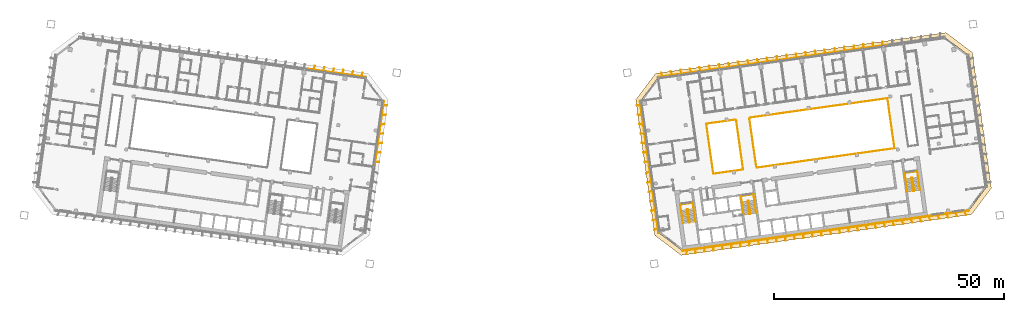
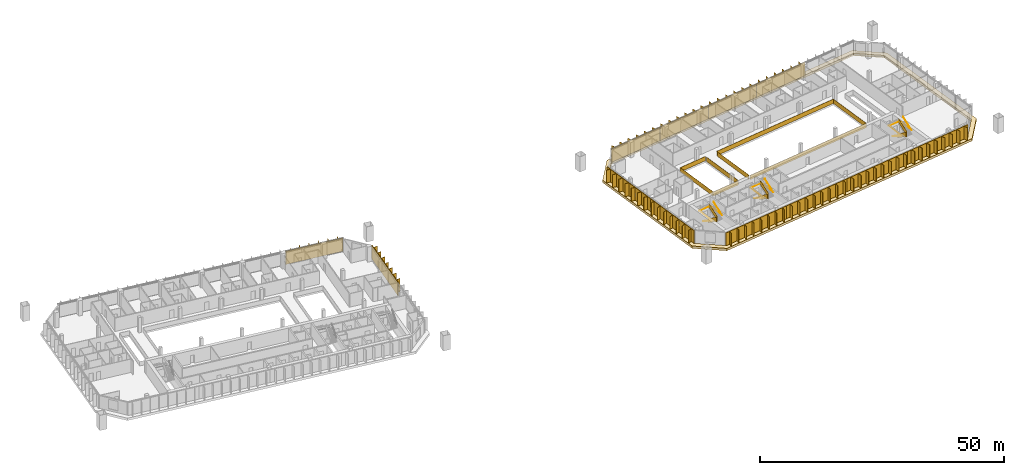
# One storey, part 25 of 26: 12 shading devices, 10 railings, 1 covering.
"""IFC4 building model written with IfcOpenShell, lengths in metres."""

from ifc_helpers import new_model, si_unit, direction, frame, origin, origin_2d, place, context, subcontext, project, spatial, polyline, rectangle, outline, extrude, material, layer, layer_set, type_object, element, save


model = new_model("IFC4")

# Units and contexts
model_context = context("Model", 3, precision=1e-05, world=origin(), true_north=direction((0.0, 1.0)))
body_context = subcontext(model_context, "Body", "Model", "MODEL_VIEW")
ifc_project = project(units=[si_unit("LENGTHUNIT", "METRE"), si_unit("AREAUNIT", "SQUARE_METRE"), si_unit("VOLUMEUNIT", "CUBIC_METRE"), si_unit("PLANEANGLEUNIT", "RADIAN"), si_unit("MASSUNIT", "GRAM", prefix="KILO")], contexts=[model_context])

# Site, building, storey
site_placement = place(None, origin())
site = spatial("IfcSite", under=ifc_project, at=site_placement, CompositionType="ELEMENT")
building_placement = place(site_placement, origin())
building = spatial("IfcBuilding", under=site, at=building_placement, Name="Mirante Cascada Hotel Towers", CompositionType="ELEMENT")
storey_placement = place(building_placement, frame((0.0, 0.0, 106.3)))
storey = spatial("IfcBuildingStorey", under=building, at=storey_placement, Name="L23", CompositionType="ELEMENT", Elevation=106.3)

# Railings
ifc_material_1 = material(Name="Toughened glass with stainless steel handrail", Category="steel")
railing_type_1 = type_object("IfcRailingType", Name="Atrium guard 1100 glass balustrade", PredefinedType="GUARDRAIL", material=ifc_material_1)
railing_1_placement = place(storey_placement, frame((48.76, 8.3112, 0.0)))
element("IfcRailing", 1, at=railing_1_placement, inside=storey, type_object=railing_type_1, Name="GUARD 2-L23-1", PredefinedType="GUARDRAIL", context=body_context, shape_type="SweptSolid", body=[
    extrude(rectangle(XDim=0.048, YDim=0.048, at=origin_2d()), frame((0.0, 0.0, 1.076), z_axis=(-0.9902694, -0.1391638, 0.0), x_axis=(0.1391638, -0.9902694, 0.0)), (0.0, 0.0, 1.0), 6.5125),
    extrude(rectangle(XDim=0.02, YDim=1.052, at=origin_2d()), frame((0.0, 0.0, 0.526), z_axis=(-0.9902694, -0.1391638, 0.0), x_axis=(0.1391638, -0.9902694, 0.0)), (0.0, 0.0, 1.0), 6.5125),
    extrude(rectangle(XDim=0.048, YDim=0.048, at=origin_2d()), frame((-6.4491, -0.9063, 1.076), z_axis=(0.1391721, -0.9902682, 0.0), x_axis=(0.9902682, 0.1391721, 0.0)), (0.0, 0.0, 1.0), 11.0001),
    extrude(rectangle(XDim=0.02, YDim=1.052, at=origin_2d()), frame((-6.4491, -0.9063, 0.526), z_axis=(0.1391721, -0.9902682, 0.0), x_axis=(0.9902682, 0.1391721, 0.0)), (0.0, 0.0, 1.0), 11.0001),
    extrude(rectangle(XDim=0.048, YDim=0.048, at=origin_2d()), frame((-4.9182, -11.7993, 1.076), z_axis=(0.9902673, 0.1391788, 0.0), x_axis=(-0.1391788, 0.9902673, 0.0)), (0.0, 0.0, 1.0), 6.5125),
    extrude(rectangle(XDim=0.02, YDim=1.052, at=origin_2d()), frame((-4.9182, -11.7993, 0.526), z_axis=(0.9902673, 0.1391788, 0.0), x_axis=(-0.1391788, 0.9902673, 0.0)), (0.0, 0.0, 1.0), 6.5125),
])
railing_2_placement = place(storey_placement, frame((53.2617, -2.1642, 0.0)))
element("IfcRailing", 2, at=railing_2_placement, inside=storey, type_object=railing_type_1, Name="GUARD 2-L23-2", PredefinedType="GUARDRAIL", context=body_context, shape_type="SweptSolid", body=[
    extrude(rectangle(XDim=0.048, YDim=0.048, at=origin_2d()), frame((0.0, 0.0, 1.076), z_axis=(0.9902682, 0.1391722, 0.0), x_axis=(-0.1391722, 0.9902682, 0.0)), (0.0, 0.0, 1.0), 30.325),
    extrude(rectangle(XDim=0.02, YDim=1.052, at=origin_2d()), frame((0.0, 0.0, 0.526), z_axis=(0.9902682, 0.1391722, 0.0), x_axis=(-0.1391722, 0.9902682, 0.0)), (0.0, 0.0, 1.0), 30.325),
    extrude(rectangle(XDim=0.048, YDim=0.048, at=origin_2d()), frame((30.0299, 4.2204, 1.076), z_axis=(-0.1391721, 0.9902682, 0.0), x_axis=(-0.9902682, -0.1391721, 0.0)), (0.0, 0.0, 1.0), 11.0001),
    extrude(rectangle(XDim=0.02, YDim=1.052, at=origin_2d()), frame((30.0299, 4.2204, 0.526), z_axis=(-0.1391721, 0.9902682, 0.0), x_axis=(-0.9902682, -0.1391721, 0.0)), (0.0, 0.0, 1.0), 11.0001),
    extrude(rectangle(XDim=0.048, YDim=0.048, at=origin_2d()), frame((28.499, 15.1134, 1.076), z_axis=(-0.9902682, -0.1391722, 0.0), x_axis=(0.1391722, -0.9902682, 0.0)), (0.0, 0.0, 1.0), 30.325),
    extrude(rectangle(XDim=0.02, YDim=1.052, at=origin_2d()), frame((28.499, 15.1134, 0.526), z_axis=(-0.9902682, -0.1391722, 0.0), x_axis=(0.1391722, -0.9902682, 0.0)), (0.0, 0.0, 1.0), 30.325),
])
railing_3_placement = place(storey_placement, frame((50.2983, -2.2822, 0.0)))
element("IfcRailing", 3, at=railing_3_placement, inside=storey, type_object=railing_type_1, Name="GUARD 2-L23-4", PredefinedType="GUARDRAIL", context=body_context, shape_type="SweptSolid", body=[
    extrude(rectangle(XDim=0.048, YDim=0.048, at=origin_2d()), frame((0.0, 0.0, 1.076), z_axis=(-0.1391708, 0.9902684, 0.0), x_axis=(-0.9902684, -0.1391708, 0.0)), (0.0, 0.0, 1.0), 10.4088),
    extrude(rectangle(XDim=0.02, YDim=1.052, at=origin_2d()), frame((0.0, 0.0, 0.526), z_axis=(-0.1391708, 0.9902684, 0.0), x_axis=(-0.9902684, -0.1391708, 0.0)), (0.0, 0.0, 1.0), 10.4088),
])
railing_4_placement = place(storey_placement, frame((51.7234, 8.4292, 0.0)))
element("IfcRailing", 4, at=railing_4_placement, inside=storey, type_object=railing_type_1, Name="GUARD 2-L23-5", PredefinedType="GUARDRAIL", context=body_context, shape_type="SweptSolid", body=[
    extrude(rectangle(XDim=0.048, YDim=0.048, at=origin_2d()), frame((0.0, 0.0, 1.076), z_axis=(0.1391721, -0.9902682, 0.0), x_axis=(0.9902682, 0.1391721, 0.0)), (0.0, 0.0, 1.0), 10.4087),
    extrude(rectangle(XDim=0.02, YDim=1.052, at=origin_2d()), frame((0.0, 0.0, 0.526), z_axis=(0.1391721, -0.9902682, 0.0), x_axis=(0.9902682, 0.1391721, 0.0)), (0.0, 0.0, 1.0), 10.4087),
])

# Covering
ifc_material_2 = material(Name="Precast concrete C40/50 white", Category="concrete")
ifc_layer = layer(ifc_material_2, 0.6)
ifc_layer_set = layer_set([ifc_layer], Name="Precast concrete SUNSHADE band 1000x600")
covering_type = type_object("IfcCoveringType", Name="Precast concrete SUNSHADE band 1000x600", PredefinedType="CLADDING", material=ifc_layer_set)
covering_placement = place(storey_placement, frame((0.0, 0.0, -0.45)))
element("IfcCovering", 5, at=covering_placement, inside=storey, type_object=covering_type, Name="Precast concrete SUNSHADE band T2 L23", PredefinedType="CLADDING", context=body_context, shape_type="SweptSolid", body=[
    extrude(outline(polyline([(26.9341, 12.6299), (31.2626, 18.374), (94.4698, 27.2572), (100.2139, 22.9287), (104.3652, -6.6094), (100.0367, -12.3535), (36.8295, -21.2367), (31.0854, -16.9082), (26.9341, 12.6299)]), holes=[polyline([(103.3173, -6.3384), (99.2813, 22.3794), (94.1988, 26.2093), (31.8119, 17.4414), (27.982, 12.3589), (32.018, -16.3589), (37.1005, -20.1888), (99.4874, -11.4209), (103.3173, -6.3384)])]), origin(), (0.0, 0.0, 1.0), 0.6),
])

# Railings
ifc_material_3 = material(Name="Painted steel", Category="steel")
railing_type_2 = type_object("IfcRailingType", Name="Stair guard 1100 steel balustrade", PredefinedType="GUARDRAIL", material=ifc_material_3)
railing_5_placement = place(storey_placement, frame((38.2663, -11.2395, 0.0)))
element("IfcRailing", 6, at=railing_5_placement, inside=storey, type_object=railing_type_2, Name="L23 ST2-A stair guard 1", PredefinedType="GUARDRAIL", context=body_context, shape_type="SweptSolid", body=[
    extrude(rectangle(XDim=0.048, YDim=0.048, at=origin_2d()), frame((0.0, 0.0, 1.076), z_axis=(-0.9903326, -0.1387133, 0.0), x_axis=(0.1387133, -0.9903326, 0.0)), (0.0, 0.0, 1.0), 0.1499),
    extrude(rectangle(XDim=0.02, YDim=1.052, at=origin_2d()), frame((0.0, 0.0, 0.526), z_axis=(-0.9903326, -0.1387133, 0.0), x_axis=(0.1387133, -0.9903326, 0.0)), (0.0, 0.0, 1.0), 0.1499),
    extrude(rectangle(XDim=0.048, YDim=0.048, at=origin_2d()), frame((-0.1485, -0.0208, 1.076), z_axis=(-0.6020331, -0.7984711, 0.0), x_axis=(0.7984711, -0.6020331, 0.0)), (0.0, 0.9253398, 0.3791387), 0.1866),
    extrude(rectangle(XDim=0.02, YDim=1.052, at=origin_2d()), frame((-0.1485, -0.0208, 0.526), z_axis=(-0.6020331, -0.7984711, 0.0), x_axis=(0.7984711, -0.6020331, 0.0)), (0.0, 0.9253398, 0.3791387), 0.1866),
    extrude(rectangle(XDim=0.048, YDim=0.048, at=origin_2d()), frame((-0.1911, -0.0773, 1.2487), z_axis=(0.139176, -0.9902677, 0.0), x_axis=(0.9902677, 0.139176, 0.0)), (0.0, 0.5250212, 0.8510891), 3.29),
    extrude(rectangle(XDim=0.02, YDim=1.052, at=origin_2d()), frame((-0.1911, -0.0773, 0.6987), z_axis=(0.139176, -0.9902677, 0.0), x_axis=(0.9902677, 0.139176, 0.0)), (0.0, 0.5250212, 0.8510891), 3.29),
    extrude(rectangle(XDim=0.048, YDim=0.048, at=origin_2d()), frame((0.1986, -2.8501, 2.976), z_axis=(0.9944948, -0.1047858, 0.0), x_axis=(0.1047858, 0.9944948, 0.0)), (0.0, 0.0, 1.0), 0.2061),
    extrude(rectangle(XDim=0.02, YDim=1.052, at=origin_2d()), frame((0.1986, -2.8501, 2.426), z_axis=(0.9944948, -0.1047858, 0.0), x_axis=(0.1047858, 0.9944948, 0.0)), (0.0, 0.0, 1.0), 0.2061),
    extrude(rectangle(XDim=0.048, YDim=0.048, at=origin_2d()), frame((0.4036, -2.8717, 2.976), z_axis=(-0.9902408, -0.1393672, 0.0), x_axis=(0.1393672, -0.9902408, 0.0)), (0.0, 0.0, 1.0), 0.15),
    extrude(rectangle(XDim=0.02, YDim=1.052, at=origin_2d()), frame((0.4036, -2.8717, 2.426), z_axis=(-0.9902408, -0.1393672, 0.0), x_axis=(0.1393672, -0.9902408, 0.0)), (0.0, 0.0, 1.0), 0.15),
    extrude(rectangle(XDim=0.048, YDim=0.048, at=origin_2d()), frame((0.2551, -2.8926, 2.976), z_axis=(0.9270311, 0.3749843, 0.0), x_axis=(-0.3749843, 0.9270311, 0.0)), (0.0, 0.6421903, 0.7665452), 0.2689),
    extrude(rectangle(XDim=0.02, YDim=1.052, at=origin_2d()), frame((0.2551, -2.8926, 2.426), z_axis=(0.9270311, 0.3749843, 0.0), x_axis=(-0.3749843, 0.9270311, 0.0)), (0.0, 0.6421903, 0.7665452), 0.2689),
    extrude(rectangle(XDim=0.048, YDim=0.048, at=origin_2d()), frame((0.4462, -2.8153, 3.1487), z_axis=(-0.139176, 0.9902677, 0.0), x_axis=(-0.9902677, -0.139176, 0.0)), (0.0, 0.5250212, 0.8510891), 3.29),
    extrude(rectangle(XDim=0.02, YDim=1.052, at=origin_2d()), frame((0.4462, -2.8153, 2.5987), z_axis=(-0.139176, 0.9902677, 0.0), x_axis=(-0.9902677, -0.139176, 0.0)), (0.0, 0.5250212, 0.8510891), 3.29),
])
railing_6_placement = place(storey_placement, frame((51.4864, -9.3815, 0.0)))
element("IfcRailing", 7, at=railing_6_placement, inside=storey, type_object=railing_type_2, Name="L23 ST2-B stair guard 1", PredefinedType="GUARDRAIL", context=body_context, shape_type="SweptSolid", body=[
    extrude(rectangle(XDim=0.048, YDim=0.048, at=origin_2d()), frame((0.0, 0.0, 1.076), z_axis=(-0.9902408, -0.1393672, 0.0), x_axis=(0.1393672, -0.9902408, 0.0)), (0.0, 0.0, 1.0), 0.15),
    extrude(rectangle(XDim=0.02, YDim=1.052, at=origin_2d()), frame((0.0, 0.0, 0.526), z_axis=(-0.9902408, -0.1393672, 0.0), x_axis=(0.1393672, -0.9902408, 0.0)), (0.0, 0.0, 1.0), 0.15),
    extrude(rectangle(XDim=0.048, YDim=0.048, at=origin_2d()), frame((-0.1485, -0.0209, 1.076), z_axis=(-0.6020331, -0.7984711, 0.0), x_axis=(0.7984711, -0.6020331, 0.0)), (0.0, 0.9253398, 0.3791387), 0.1866),
    extrude(rectangle(XDim=0.02, YDim=1.052, at=origin_2d()), frame((-0.1485, -0.0209, 0.526), z_axis=(-0.6020331, -0.7984711, 0.0), x_axis=(0.7984711, -0.6020331, 0.0)), (0.0, 0.9253398, 0.3791387), 0.1866),
    extrude(rectangle(XDim=0.048, YDim=0.048, at=origin_2d()), frame((-0.1911, -0.0774, 1.2487), z_axis=(0.139181, -0.990267, 0.0), x_axis=(0.990267, 0.139181, 0.0)), (0.0, 0.5250347, 0.8510808), 3.2899),
    extrude(rectangle(XDim=0.02, YDim=1.052, at=origin_2d()), frame((-0.1911, -0.0774, 0.6987), z_axis=(0.139181, -0.990267, 0.0), x_axis=(0.990267, 0.139181, 0.0)), (0.0, 0.5250347, 0.8510808), 3.2899),
    extrude(rectangle(XDim=0.048, YDim=0.048, at=origin_2d()), frame((0.1986, -2.8501, 2.976), z_axis=(0.9944441, -0.1052656, 0.0), x_axis=(0.1052656, 0.9944441, 0.0)), (0.0, 0.0, 1.0), 0.2061),
    extrude(rectangle(XDim=0.02, YDim=1.052, at=origin_2d()), frame((0.1986, -2.8501, 2.426), z_axis=(0.9944441, -0.1052656, 0.0), x_axis=(0.1052656, 0.9944441, 0.0)), (0.0, 0.0, 1.0), 0.2061),
    extrude(rectangle(XDim=0.048, YDim=0.048, at=origin_2d()), frame((0.4036, -2.8718, 2.976), z_axis=(-0.9902408, -0.1393672, 0.0), x_axis=(0.1393672, -0.9902408, 0.0)), (0.0, 0.0, 1.0), 0.15),
    extrude(rectangle(XDim=0.02, YDim=1.052, at=origin_2d()), frame((0.4036, -2.8718, 2.426), z_axis=(-0.9902408, -0.1393672, 0.0), x_axis=(0.1393672, -0.9902408, 0.0)), (0.0, 0.0, 1.0), 0.15),
    extrude(rectangle(XDim=0.048, YDim=0.048, at=origin_2d()), frame((0.2551, -2.8927, 2.976), z_axis=(0.9268624, 0.3754011, 0.0), x_axis=(-0.3754011, 0.9268624, 0.0)), (0.0, 0.6421217, 0.7666028), 0.269),
    extrude(rectangle(XDim=0.02, YDim=1.052, at=origin_2d()), frame((0.2551, -2.8927, 2.426), z_axis=(0.9268624, 0.3754011, 0.0), x_axis=(-0.3754011, 0.9268624, 0.0)), (0.0, 0.6421217, 0.7666028), 0.269),
    extrude(rectangle(XDim=0.048, YDim=0.048, at=origin_2d()), frame((0.4462, -2.8153, 3.1487), z_axis=(-0.139181, 0.990267, 0.0), x_axis=(-0.990267, -0.139181, 0.0)), (0.0, 0.5250347, 0.8510808), 3.2899),
    extrude(rectangle(XDim=0.02, YDim=1.052, at=origin_2d()), frame((0.4462, -2.8153, 2.5987), z_axis=(-0.139181, 0.990267, 0.0), x_axis=(-0.990267, -0.139181, 0.0)), (0.0, 0.5250347, 0.8510808), 3.2899),
])
railing_7_placement = place(storey_placement, frame((87.1361, -4.3713, 0.0)))
element("IfcRailing", 8, at=railing_7_placement, inside=storey, type_object=railing_type_2, Name="L23 ST2-C stair guard 1", PredefinedType="GUARDRAIL", context=body_context, shape_type="SweptSolid", body=[
    extrude(rectangle(XDim=0.048, YDim=0.048, at=origin_2d()), frame((0.0, 0.0, 1.076), z_axis=(-0.9902537, -0.1392753, 0.0), x_axis=(0.1392753, -0.9902537, 0.0)), (0.0, 0.0, 1.0), 0.1501),
    extrude(rectangle(XDim=0.02, YDim=1.052, at=origin_2d()), frame((0.0, 0.0, 0.526), z_axis=(-0.9902537, -0.1392753, 0.0), x_axis=(0.1392753, -0.9902537, 0.0)), (0.0, 0.0, 1.0), 0.1501),
    extrude(rectangle(XDim=0.048, YDim=0.048, at=origin_2d()), frame((-0.1486, -0.0209, 1.076), z_axis=(-0.601811, -0.7986386, 0.0), x_axis=(0.7986386, -0.601811, 0.0)), (0.0, 0.925603, 0.3784959), 0.1866),
    extrude(rectangle(XDim=0.02, YDim=1.052, at=origin_2d()), frame((-0.1486, -0.0209, 0.526), z_axis=(-0.601811, -0.7986386, 0.0), x_axis=(0.7986386, -0.601811, 0.0)), (0.0, 0.925603, 0.3784959), 0.1866),
    extrude(rectangle(XDim=0.048, YDim=0.048, at=origin_2d()), frame((-0.1911, -0.0773, 1.2487), z_axis=(0.139176, -0.9902677, 0.0), x_axis=(0.9902677, 0.139176, 0.0)), (0.0, 0.5250212, 0.8510891), 3.29),
    extrude(rectangle(XDim=0.02, YDim=1.052, at=origin_2d()), frame((-0.1911, -0.0773, 0.6987), z_axis=(0.139176, -0.9902677, 0.0), x_axis=(0.9902677, 0.139176, 0.0)), (0.0, 0.5250212, 0.8510891), 3.29),
    extrude(rectangle(XDim=0.048, YDim=0.048, at=origin_2d()), frame((0.1986, -2.8501, 2.976), z_axis=(0.9944441, -0.1052656, 0.0), x_axis=(0.1052656, 0.9944441, 0.0)), (0.0, 0.0, 1.0), 0.2061),
    extrude(rectangle(XDim=0.02, YDim=1.052, at=origin_2d()), frame((0.1986, -2.8501, 2.426), z_axis=(0.9944441, -0.1052656, 0.0), x_axis=(0.1052656, 0.9944441, 0.0)), (0.0, 0.0, 1.0), 0.2061),
    extrude(rectangle(XDim=0.048, YDim=0.048, at=origin_2d()), frame((0.4036, -2.8718, 2.976), z_axis=(-0.9903454, -0.1386217, 0.0), x_axis=(0.1386217, -0.9903454, 0.0)), (0.0, 0.0, 1.0), 0.15),
    extrude(rectangle(XDim=0.02, YDim=1.052, at=origin_2d()), frame((0.4036, -2.8718, 2.426), z_axis=(-0.9903454, -0.1386217, 0.0), x_axis=(0.1386217, -0.9903454, 0.0)), (0.0, 0.0, 1.0), 0.15),
    extrude(rectangle(XDim=0.048, YDim=0.048, at=origin_2d()), frame((0.255, -2.8926, 2.976), z_axis=(0.9270311, 0.3749843, 0.0), x_axis=(-0.3749843, 0.9270311, 0.0)), (0.0, 0.6421903, 0.7665452), 0.2689),
    extrude(rectangle(XDim=0.02, YDim=1.052, at=origin_2d()), frame((0.255, -2.8926, 2.426), z_axis=(0.9270311, 0.3749843, 0.0), x_axis=(-0.3749843, 0.9270311, 0.0)), (0.0, 0.6421903, 0.7665452), 0.2689),
    extrude(rectangle(XDim=0.048, YDim=0.048, at=origin_2d()), frame((0.4461, -2.8153, 3.1487), z_axis=(-0.139176, 0.9902677, 0.0), x_axis=(-0.9902677, -0.139176, 0.0)), (0.0, 0.5250212, 0.8510891), 3.29),
    extrude(rectangle(XDim=0.02, YDim=1.052, at=origin_2d()), frame((0.4461, -2.8153, 2.5987), z_axis=(-0.139176, 0.9902677, 0.0), x_axis=(-0.9902677, -0.139176, 0.0)), (0.0, 0.5250212, 0.8510891), 3.29),
])
ifc_material_4 = material(Name="Painted steel", Category="steel")
railing_type_3 = type_object("IfcRailingType", Name="Stair handrail 900 steel tube", PredefinedType="HANDRAIL", material=ifc_material_4)
railing_8_placement = place(storey_placement, frame((36.8374, -11.4908, 0.1727)))
element("IfcRailing", 9, at=railing_8_placement, inside=storey, type_object=railing_type_3, Name="L23 ST2-A stair handrail 1", PredefinedType="HANDRAIL", context=body_context, shape_type="SweptSolid", body=[
    extrude(rectangle(XDim=0.048, YDim=0.048, at=origin_2d()), frame((0.0, 0.0, 0.876), z_axis=(0.139181, -0.990267, 0.0), x_axis=(0.990267, 0.139181, 0.0)), (0.0, 0.5250347, 0.8510808), 3.2899),
    extrude(rectangle(XDim=0.048, YDim=0.048, at=origin_2d()), frame((0.3897, -2.7727, 2.6033), z_axis=(-0.1391707, 0.9902684, 0.0), x_axis=(-0.9902684, -0.1391707, 0.0)), (0.0, 0.0420846, 0.999114), 4.1036),
    extrude(rectangle(XDim=0.048, YDim=0.048, at=origin_2d()), frame((-0.1809, 1.2874, 2.776), z_axis=(0.9902691, 0.1391657, 0.0), x_axis=(-0.1391657, 0.9902691, 0.0)), (0.0, 0.0, 1.0), 2.75),
    extrude(rectangle(XDim=0.048, YDim=0.048, at=origin_2d()), frame((2.5423, 1.6701, 2.776), z_axis=(0.1391707, -0.9902684, 0.0), x_axis=(0.9902684, 0.1391707, 0.0)), (0.0, 0.0, 1.0), 4.1),
    extrude(rectangle(XDim=0.048, YDim=0.048, at=origin_2d()), frame((3.1129, -2.39, 2.776), z_axis=(-0.139181, 0.990267, 0.0), x_axis=(-0.990267, -0.139181, 0.0)), (0.0, 0.5250347, 0.8510808), 3.2899),
])
railing_9_placement = place(storey_placement, frame((50.0575, -9.6328, 0.1727)))
element("IfcRailing", 10, at=railing_9_placement, inside=storey, type_object=railing_type_3, Name="L23 ST2-B stair handrail 1", PredefinedType="HANDRAIL", context=body_context, shape_type="SweptSolid", body=[
    extrude(rectangle(XDim=0.048, YDim=0.048, at=origin_2d()), frame((0.0, 0.0, 0.876), z_axis=(0.139176, -0.9902677, 0.0), x_axis=(0.9902677, 0.139176, 0.0)), (0.0, 0.5250212, 0.8510891), 3.29),
    extrude(rectangle(XDim=0.048, YDim=0.048, at=origin_2d()), frame((0.3897, -2.7728, 2.6033), z_axis=(-0.1391707, 0.9902684, 0.0), x_axis=(-0.9902684, -0.1391707, 0.0)), (0.0, 0.0420846, 0.999114), 4.1036),
    extrude(rectangle(XDim=0.048, YDim=0.048, at=origin_2d()), frame((-0.1809, 1.2873, 2.776), z_axis=(0.9902641, 0.1392013, 0.0), x_axis=(-0.1392013, 0.9902641, 0.0)), (0.0, 0.0, 1.0), 2.75),
    extrude(rectangle(XDim=0.048, YDim=0.048, at=origin_2d()), frame((2.5423, 1.6701, 2.776), z_axis=(0.1391707, -0.9902684, 0.0), x_axis=(0.9902684, 0.1391707, 0.0)), (0.0, 0.0, 1.0), 4.1),
    extrude(rectangle(XDim=0.048, YDim=0.048, at=origin_2d()), frame((3.1129, -2.39, 2.776), z_axis=(-0.139181, 0.990267, 0.0), x_axis=(-0.990267, -0.139181, 0.0)), (0.0, 0.5250347, 0.8510808), 3.2899),
])
railing_10_placement = place(storey_placement, frame((85.7071, -4.6226, 0.1727)))
element("IfcRailing", 11, at=railing_10_placement, inside=storey, type_object=railing_type_3, Name="L23 ST2-C stair handrail 1", PredefinedType="HANDRAIL", context=body_context, shape_type="SweptSolid", body=[
    extrude(rectangle(XDim=0.048, YDim=0.048, at=origin_2d()), frame((0.0, 0.0, 0.876), z_axis=(0.139181, -0.990267, 0.0), x_axis=(0.990267, 0.139181, 0.0)), (0.0, 0.5250347, 0.8510808), 3.2899),
    extrude(rectangle(XDim=0.048, YDim=0.048, at=origin_2d()), frame((0.3897, -2.7727, 2.6033), z_axis=(-0.1391707, 0.9902684, 0.0), x_axis=(-0.9902684, -0.1391707, 0.0)), (0.0, 0.0420846, 0.999114), 4.1036),
    extrude(rectangle(XDim=0.048, YDim=0.048, at=origin_2d()), frame((-0.1809, 1.2874, 2.776), z_axis=(0.9902691, 0.1391657, 0.0), x_axis=(-0.1391657, 0.9902691, 0.0)), (0.0, 0.0, 1.0), 2.75),
    extrude(rectangle(XDim=0.048, YDim=0.048, at=origin_2d()), frame((2.5423, 1.6701, 2.776), z_axis=(0.1391947, -0.990265, 0.0), x_axis=(0.990265, 0.1391947, 0.0)), (0.0, 0.0, 1.0), 4.1),
    extrude(rectangle(XDim=0.048, YDim=0.048, at=origin_2d()), frame((3.113, -2.39, 2.776), z_axis=(-0.139181, 0.990267, 0.0), x_axis=(-0.990267, -0.139181, 0.0)), (0.0, 0.5250347, 0.8510808), 3.2899),
])

# Shading devices
ifc_material_5 = material(Name="White precast concrete C50/60 fin", Category="concrete")
shading_device_type = type_object("IfcShadingDeviceType", Name="Vertical fin set 4500x900", PredefinedType="USERDEFINED", material=ifc_material_5)
shading_device_1_placement = place(storey_placement, origin())
element("IfcShadingDevice", 12, at=shading_device_1_placement, inside=storey, type_object=shading_device_type, Name="FIN T1 L23 front 5", ObjectType="FIN", PredefinedType="USERDEFINED", context=body_context, shape_type="SweptSolid", body=[
    extrude(outline(polyline([(-32.4493, 18.4994), (-32.7765, 17.7284), (-31.791, 17.5899), (-31.8119, 17.4414), (-44.2893, 19.195), (-44.2684, 19.3435), (-43.2564, 19.2013), (-42.9208, 19.9919), (-42.8471, 19.9607), (-43.1744, 19.1897), (-41.1768, 18.909), (-40.8412, 19.6997), (-40.7676, 19.6684), (-41.0948, 18.8975), (-39.0973, 18.6167), (-38.7616, 19.4074), (-38.688, 19.3761), (-39.0152, 18.6052), (-37.0177, 18.3245), (-36.6821, 19.1151), (-36.6084, 19.0839), (-36.9357, 18.3129), (-34.9381, 18.0322), (-34.6025, 18.8229), (-34.5289, 18.7916), (-34.8561, 18.0207), (-32.8586, 17.7399), (-32.5229, 18.5306), (-32.4493, 18.4994)])), origin(), (0.0, 0.0, 1.0), 3.35),
])
shading_device_2_placement = place(storey_placement, origin())
element("IfcShadingDevice", 13, at=shading_device_2_placement, inside=storey, type_object=shading_device_type, Name="FIN T1 L23 inner 1", ObjectType="FIN", PredefinedType="USERDEFINED", context=body_context, shape_type="SweptSolid", body=[
    extrude(outline(polyline([(-29.7112, -1.023), (-29.8515, -2.0209), (-30.0, -2.0), (-27.982, 12.3589), (-27.8334, 12.338), (-27.97, 11.3667), (-27.1387, 11.4687), (-27.1289, 11.3893), (-27.9815, 11.2846), (-28.2583, 9.3154), (-27.427, 9.4174), (-27.4172, 9.338), (-28.2698, 9.2334), (-28.5465, 7.2641), (-27.7153, 7.3662), (-27.7055, 7.2868), (-28.5581, 7.1821), (-28.8348, 5.2128), (-28.0036, 5.3149), (-27.9938, 5.2355), (-28.8464, 5.1308), (-29.1231, 3.1616), (-28.2918, 3.2636), (-28.2821, 3.1842), (-29.1346, 3.0796), (-29.4114, 1.1103), (-28.5801, 1.2124), (-28.5704, 1.133), (-29.4229, 1.0283), (-29.6997, -0.941), (-28.8684, -0.8389), (-28.8587, -0.9183), (-29.7112, -1.023)])), origin(), (0.0, 0.0, 1.0), 3.35),
])
shading_device_3_placement = place(storey_placement, origin())
element("IfcShadingDevice", 14, at=shading_device_3_placement, inside=storey, type_object=shading_device_type, Name="FIN T2 L23 front 2", ObjectType="FIN", PredefinedType="USERDEFINED", context=body_context, shape_type="SweptSolid", body=[
    extrude(outline(polyline([(70.3021, 23.8476), (70.3094, 23.0033), (72.3091, 23.2844), (72.3016, 24.1392), (72.3816, 24.1399), (72.389, 23.2956), (74.3886, 23.5766), (74.3812, 24.4314), (74.4612, 24.4321), (74.4686, 23.5878), (76.4682, 23.8689), (76.4608, 24.7237), (76.5407, 24.7244), (76.5481, 23.8801), (78.5478, 24.1611), (78.5403, 25.0159), (78.6203, 25.0166), (78.6277, 24.1724), (80.6273, 24.4534), (80.6199, 25.3082), (80.6999, 25.3089), (80.7072, 24.4646), (81.7006, 24.6042), (81.7214, 24.4557), (69.2441, 22.7021), (69.2232, 22.8507), (70.2295, 22.9921), (70.2221, 23.8469), (70.3021, 23.8476)])), origin(), (0.0, 0.0, 1.0), 3.35),
])
shading_device_4_placement = place(storey_placement, origin())
element("IfcShadingDevice", 15, at=shading_device_4_placement, inside=storey, type_object=shading_device_type, Name="FIN T2 L23 front 3", ObjectType="FIN", PredefinedType="USERDEFINED", context=body_context, shape_type="SweptSolid", body=[
    extrude(outline(polyline([(57.7069, 22.0905), (57.8252, 21.2488), (59.8255, 21.5299), (59.7072, 22.3716), (59.7865, 22.3828), (59.9048, 21.541), (61.9051, 21.8222), (61.7868, 22.6639), (61.866, 22.675), (61.9843, 21.8333), (63.9847, 22.1144), (63.8664, 22.9562), (63.9456, 22.9673), (64.0639, 22.1256), (66.0642, 22.4067), (65.9459, 23.2484), (66.0251, 23.2596), (66.1434, 22.4178), (68.1438, 22.699), (68.0255, 23.5407), (68.1047, 23.5518), (68.223, 22.7101), (69.2232, 22.8507), (69.2441, 22.7021), (56.7667, 20.9485), (56.7458, 21.0971), (57.746, 21.2376), (57.6277, 22.0794), (57.7069, 22.0905)])), origin(), (0.0, 0.0, 1.0), 3.35),
])
shading_device_5_placement = place(storey_placement, origin())
element("IfcShadingDevice", 16, at=shading_device_5_placement, inside=storey, type_object=shading_device_type, Name="FIN T2 L23 front 4", ObjectType="FIN", PredefinedType="USERDEFINED", context=body_context, shape_type="SweptSolid", body=[
    extrude(outline(polyline([(45.1132, 20.3181), (45.3416, 19.4943), (47.3413, 19.7754), (47.1157, 20.589), (47.1928, 20.6103), (47.4212, 19.7866), (49.4209, 20.0676), (49.1952, 20.8812), (49.2723, 20.9026), (49.5008, 20.0789), (51.5004, 20.3599), (51.2748, 21.1735), (51.3519, 21.1949), (51.5803, 20.3711), (53.58, 20.6521), (53.3544, 21.4657), (53.4314, 21.4871), (53.6599, 20.6634), (55.6595, 20.9444), (55.4339, 21.758), (55.511, 21.7794), (55.7394, 20.9556), (56.7458, 21.0971), (56.7667, 20.9485), (44.2893, 19.195), (44.2684, 19.3435), (45.2617, 19.4831), (45.0361, 20.2967), (45.1132, 20.3181)])), origin(), (0.0, 0.0, 1.0), 3.35),
])
shading_device_6_placement = place(storey_placement, origin())
element("IfcShadingDevice", 17, at=shading_device_6_placement, inside=storey, type_object=shading_device_type, Name="FIN T2 L23 front 5", ObjectType="FIN", PredefinedType="USERDEFINED", context=body_context, shape_type="SweptSolid", body=[
    extrude(outline(polyline([(32.5229, 18.5306), (32.8586, 17.7399), (34.8561, 18.0207), (34.5289, 18.7916), (34.6025, 18.8229), (34.9381, 18.0322), (36.9357, 18.3129), (36.6084, 19.0839), (36.6821, 19.1151), (37.0177, 18.3245), (39.0152, 18.6052), (38.688, 19.3761), (38.7616, 19.4074), (39.0973, 18.6167), (41.0948, 18.8975), (40.7676, 19.6684), (40.8412, 19.6997), (41.1768, 18.909), (43.1744, 19.1897), (42.8471, 19.9607), (42.9208, 19.9919), (43.2564, 19.2013), (44.2684, 19.3435), (44.2893, 19.195), (31.8119, 17.4414), (31.791, 17.5899), (32.7765, 17.7284), (32.4493, 18.4994), (32.5229, 18.5306)])), origin(), (0.0, 0.0, 1.0), 3.35),
])
shading_device_7_placement = place(storey_placement, origin())
element("IfcShadingDevice", 18, at=shading_device_7_placement, inside=storey, type_object=shading_device_type, Name="FIN T2 L23 inner 1", ObjectType="FIN", PredefinedType="USERDEFINED", context=body_context, shape_type="SweptSolid", body=[
    extrude(outline(polyline([(28.8684, -0.8389), (29.6997, -0.941), (29.4229, 1.0283), (28.5704, 1.133), (28.5801, 1.2124), (29.4114, 1.1103), (29.1346, 3.0796), (28.2821, 3.1842), (28.2918, 3.2636), (29.1231, 3.1616), (28.8464, 5.1308), (27.9938, 5.2355), (28.0036, 5.3149), (28.8348, 5.2128), (28.5581, 7.1821), (27.7055, 7.2868), (27.7153, 7.3662), (28.5465, 7.2641), (28.2698, 9.2334), (27.4172, 9.338), (27.427, 9.4174), (28.2583, 9.3154), (27.9815, 11.2846), (27.1289, 11.3893), (27.1387, 11.4687), (27.97, 11.3667), (27.8334, 12.338), (27.982, 12.3589), (30.0, -2.0), (29.8515, -2.0209), (29.7112, -1.023), (28.8587, -0.9183), (28.8684, -0.8389)])), origin(), (0.0, 0.0, 1.0), 3.35),
])
shading_device_8_placement = place(storey_placement, origin())
element("IfcShadingDevice", 19, at=shading_device_8_placement, inside=storey, type_object=shading_device_type, Name="FIN T2 L23 inner 2", ObjectType="FIN", PredefinedType="USERDEFINED", context=body_context, shape_type="SweptSolid", body=[
    extrude(outline(polyline([(30.9308, -15.662), (31.7214, -15.3264), (31.4447, -13.3571), (30.6737, -13.6844), (30.6425, -13.6107), (31.4331, -13.2751), (31.1564, -11.3059), (30.3854, -11.6331), (30.3542, -11.5595), (31.1449, -11.2238), (30.8681, -9.2546), (30.0972, -9.5818), (30.0659, -9.5082), (30.8566, -9.1726), (30.5798, -7.2033), (29.8089, -7.5306), (29.7776, -7.4569), (30.5683, -7.1213), (30.2915, -5.1521), (29.5206, -5.4793), (29.4893, -5.4057), (30.28, -5.07), (30.0032, -3.1008), (29.2323, -3.428), (29.201, -3.3544), (29.9917, -3.0188), (29.8515, -2.0209), (30.0, -2.0), (32.018, -16.3589), (31.8695, -16.3798), (31.733, -15.4084), (30.962, -15.7356), (30.9308, -15.662)])), origin(), (0.0, 0.0, 1.0), 3.35),
])
shading_device_9_placement = place(storey_placement, origin())
element("IfcShadingDevice", 20, at=shading_device_9_placement, inside=storey, type_object=shading_device_type, Name="FIN T2 L23 rear 1", ObjectType="FIN", PredefinedType="USERDEFINED", context=body_context, shape_type="SweptSolid", body=[
    extrude(outline(polyline([(37.9398, -21.0393), (38.0419, -20.208), (37.1214, -20.3374), (37.1005, -20.1888), (52.6972, -17.9968), (52.7181, -18.1454), (51.771, -18.2785), (51.6664, -19.131), (51.587, -19.1213), (51.689, -18.29), (49.8214, -18.5525), (49.7168, -19.405), (49.6374, -19.3953), (49.7394, -18.564), (47.8719, -18.8265), (47.7672, -19.679), (47.6878, -19.6693), (47.7898, -18.838), (45.9223, -19.1005), (45.8176, -19.953), (45.7382, -19.9433), (45.8403, -19.112), (43.9727, -19.3745), (43.868, -20.227), (43.7886, -20.2173), (43.8907, -19.386), (42.0231, -19.6485), (41.9184, -20.501), (41.839, -20.4913), (41.9411, -19.66), (40.0735, -19.9225), (39.9688, -20.775), (39.8894, -20.7653), (39.9915, -19.934), (38.1239, -20.1965), (38.0192, -21.049), (37.9398, -21.0393)])), origin(), (0.0, 0.0, 1.0), 3.35),
])
shading_device_10_placement = place(storey_placement, origin())
element("IfcShadingDevice", 21, at=shading_device_10_placement, inside=storey, type_object=shading_device_type, Name="FIN T2 L23 rear 2", ObjectType="FIN", PredefinedType="USERDEFINED", context=body_context, shape_type="SweptSolid", body=[
    extrude(outline(polyline([(53.6931, -18.8597), (53.6488, -18.0146), (52.7181, -18.1454), (52.6972, -17.9968), (68.2939, -15.8049), (68.3148, -15.9534), (67.3755, -16.0854), (67.4201, -16.9376), (67.3402, -16.9417), (67.2959, -16.0966), (65.4259, -16.3594), (65.4705, -17.2116), (65.3906, -17.2157), (65.3463, -16.3706), (63.4763, -16.6334), (63.5209, -17.4856), (63.441, -17.4897), (63.3967, -16.6446), (61.5267, -16.9074), (61.5713, -17.7596), (61.4914, -17.7637), (61.4472, -16.9186), (59.5771, -17.1814), (59.6217, -18.0335), (59.5419, -18.0377), (59.4976, -17.1926), (57.6275, -17.4554), (57.6722, -18.3075), (57.5923, -18.3117), (57.548, -17.4666), (55.6779, -17.7294), (55.7226, -18.5815), (55.6427, -18.5857), (55.5984, -17.7406), (53.7283, -18.0034), (53.773, -18.8555), (53.6931, -18.8597)])), origin(), (0.0, 0.0, 1.0), 3.35),
])
shading_device_11_placement = place(storey_placement, origin())
element("IfcShadingDevice", 22, at=shading_device_11_placement, inside=storey, type_object=shading_device_type, Name="FIN T2 L23 rear 3", ObjectType="FIN", PredefinedType="USERDEFINED", context=body_context, shape_type="SweptSolid", body=[
    extrude(outline(polyline([(69.4461, -16.6528), (69.2542, -15.8214), (68.3148, -15.9534), (68.2939, -15.8049), (83.8907, -13.6129), (83.9115, -13.7614), (82.9808, -13.8922), (83.1712, -14.7168), (83.0933, -14.7348), (82.9013, -13.9034), (81.0312, -14.1662), (81.2216, -14.9908), (81.1437, -15.0088), (80.9517, -14.1774), (79.0817, -14.4402), (79.272, -15.2648), (79.1941, -15.2828), (79.0021, -14.4514), (77.1321, -14.7142), (77.3224, -15.5388), (77.2445, -15.5568), (77.0525, -14.7254), (75.1825, -14.9882), (75.3729, -15.8128), (75.2949, -15.8308), (75.103, -14.9994), (73.2329, -15.2622), (73.4233, -16.0868), (73.3453, -16.1048), (73.1534, -15.2734), (71.2833, -15.5362), (71.4737, -16.3608), (71.3957, -16.3788), (71.2038, -15.5474), (69.3337, -15.8102), (69.5241, -16.6348), (69.4461, -16.6528)])), origin(), (0.0, 0.0, 1.0), 3.35),
])
shading_device_12_placement = place(storey_placement, origin())
element("IfcShadingDevice", 23, at=shading_device_12_placement, inside=storey, type_object=shading_device_type, Name="FIN T2 L23 rear 4", ObjectType="FIN", PredefinedType="USERDEFINED", context=body_context, shape_type="SweptSolid", body=[
    extrude(outline(polyline([(85.1942, -14.419), (84.8586, -13.6283), (83.9115, -13.7614), (83.8907, -13.6129), (99.4874, -11.4209), (99.5083, -11.5694), (98.5877, -11.6988), (98.915, -12.4698), (98.8413, -12.501), (98.5057, -11.7103), (96.6381, -11.9728), (96.9654, -12.7438), (96.8918, -12.775), (96.5561, -11.9843), (94.6886, -12.2468), (95.0158, -13.0178), (94.9422, -13.049), (94.6065, -12.2583), (92.739, -12.5208), (93.0662, -13.2918), (92.9926, -13.323), (92.657, -12.5323), (90.7894, -12.7948), (91.1166, -13.5657), (91.043, -13.597), (90.7074, -12.8063), (88.8398, -13.0688), (89.167, -13.8397), (89.0934, -13.871), (88.7578, -13.0803), (86.8902, -13.3428), (87.2174, -14.1137), (87.1438, -14.145), (86.8082, -13.3543), (84.9406, -13.6168), (85.2679, -14.3877), (85.1942, -14.419)])), origin(), (0.0, 0.0, 1.0), 3.35),
])

save(model, "model.ifc")
